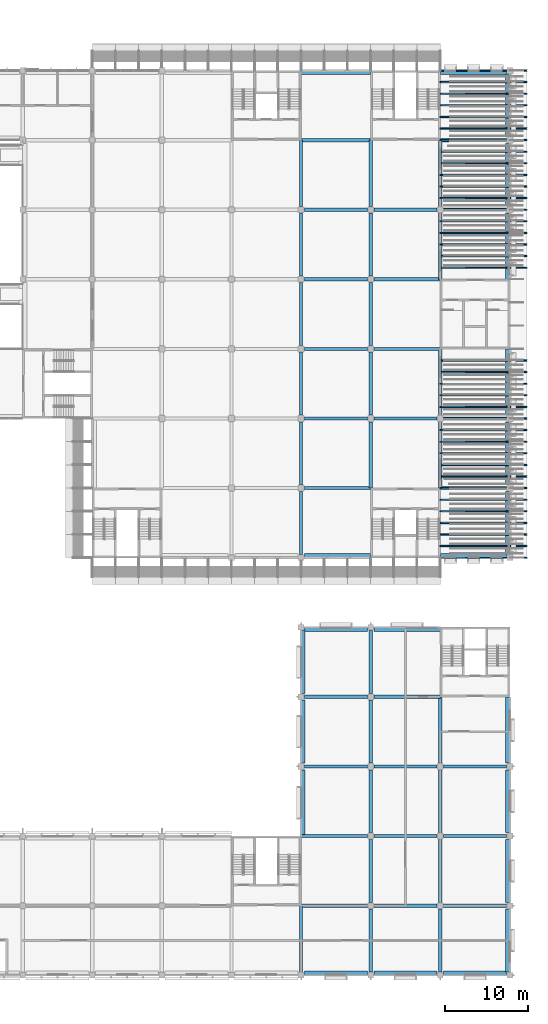
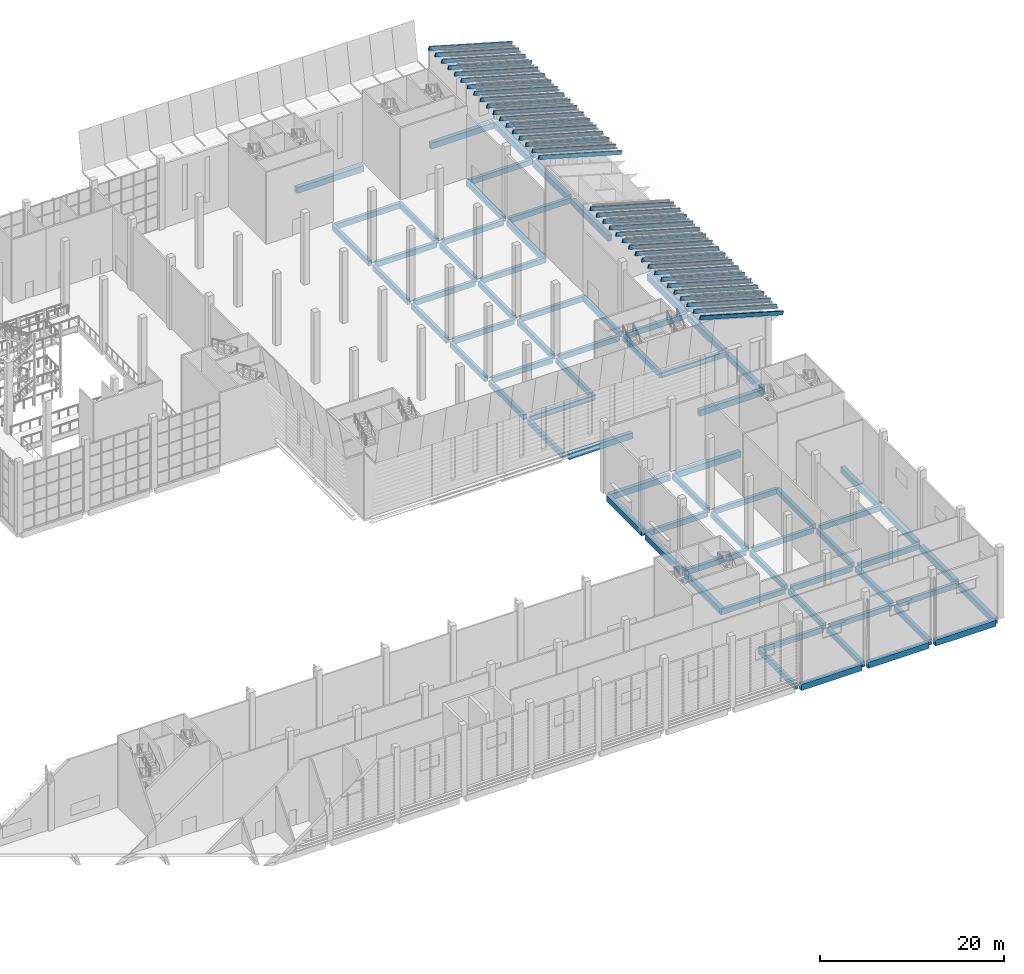
# One storey, part 28 of 114: 72 beams, 36 members.
"""IFC4 building model written with IfcOpenShell, lengths in metres."""

from ifc_helpers import new_model, si_unit, direction, frame, origin, origin_2d, place, context, subcontext, project, spatial, rectangle, extrude, material, material_profile, profile_set, type_object, element, save


model = new_model("IFC4")

# Units and contexts
model_context = context("Model", 3, precision=1e-05, world=origin(), true_north=direction((0.0, 1.0)))
body_context = subcontext(model_context, "Body", "Model", "MODEL_VIEW")
ifc_project = project(units=[si_unit("LENGTHUNIT", "METRE"), si_unit("AREAUNIT", "SQUARE_METRE"), si_unit("VOLUMEUNIT", "CUBIC_METRE"), si_unit("PLANEANGLEUNIT", "RADIAN"), si_unit("MASSUNIT", "GRAM", prefix="KILO")], contexts=[model_context])

# Site, building, storey
site_placement = place(None, origin())
site = spatial("IfcSite", under=ifc_project, at=site_placement, CompositionType="ELEMENT")
building_placement = place(site_placement, origin())
building = spatial("IfcBuilding", under=site, at=building_placement, Name="Almond Square Museum", CompositionType="ELEMENT")
storey_placement = place(building_placement, frame((0.0, 0.0, 10.5)))
storey = spatial("IfcBuildingStorey", under=building, at=storey_placement, Name="L02", CompositionType="ELEMENT", Elevation=10.5)

# Members
ifc_material_1 = material(Name="Glulam GL28h", Category="wood")
ifc_material_profile_1 = material_profile(ifc_material_1, rectangle(XDim=0.159912109375, YDim=0.5, at=origin_2d()))
ifc_profile_set_1 = profile_set([ifc_material_profile_1], Name="Glulam GL28h")
member_type = type_object("IfcMemberType", Name="Glulam rafter GL28h 160x500", PredefinedType="RAFTER", material=ifc_profile_set_1)
for number, where, z_axis, x_axis, name in (
    (1, (148.800048828125, 50.39990234375, 12.035888671875), (0.961529058153, 0.0, -0.274703240474), (0.0, 1.0, 0.0), "V4E rafter 1.1"),
    (2, (148.800048828125, 51.800048828125, 12.035888671875), (0.961529058153, 0.0, -0.274703240474), (0.0, 1.0, 0.0), "V4E rafter 1.2"),
    (3, (148.800048828125, 53.199951171875, 12.035888671875), (0.961529058153, 0.0, -0.274703240474), (0.0, 1.0, 0.0), "V4E rafter 1.3"),
    (4, (148.800048828125, 54.60009765625, 12.035888671875), (0.961529058153, 0.0, -0.274703240474), (0.0, 1.0, 0.0), "V4E rafter 1.4"),
    (5, (148.800048828125, 56.0, 12.035888671875), (0.961529058153, 0.0, -0.274703240474), (0.0, 1.0, 0.0), "V4E rafter 1.5"),
    (6, (148.800048828125, 57.39990234375, 12.035888671875), (0.961529058153, 0.0, -0.274703240474), (0.0, 1.0, 0.0), "V4E rafter 1.6"),
    (7, (148.800048828125, 58.800048828125, 12.035888671875), (0.961529058153, 0.0, -0.274703240474), (0.0, 1.0, 0.0), "V4E rafter 1.7"),
    (8, (148.800048828125, 60.199951171875, 12.035888671875), (0.961529058153, 0.0, -0.274703240474), (0.0, 1.0, 0.0), "V4E rafter 1.8"),
    (9, (148.800048828125, 61.60009765625, 12.035888671875), (0.961529058153, 0.0, -0.274703240474), (0.0, 1.0, 0.0), "V4E rafter 1.9"),
    (10, (148.800048828125, 63.0, 12.035888671875), (0.961529058153, 0.0, -0.274703240474), (0.0, 1.0, 0.0), "V4E rafter 1.10"),
    (11, (148.800048828125, 64.39990234375, 12.035888671875), (0.961529058153, 0.0, -0.274703240474), (0.0, 1.0, 0.0), "V4E rafter 1.11"),
    (12, (148.800048828125, 65.800048828125, 12.035888671875), (0.961529058153, 0.0, -0.274703240474), (0.0, 1.0, 0.0), "V4E rafter 1.12"),
    (13, (148.800048828125, 67.199951171875, 12.035888671875), (0.961529058153, 0.0, -0.274703240474), (0.0, 1.0, 0.0), "V4E rafter 1.13"),
    (14, (148.800048828125, 68.60009765625, 12.035888671875), (0.961529058153, 0.0, -0.274703240474), (0.0, 1.0, 0.0), "V4E rafter 1.14"),
    (15, (148.800048828125, 70.0, 12.035888671875), (0.961529058153, 0.0, -0.274703240474), (0.0, 1.0, 0.0), "V4E rafter 1.15"),
    (16, (148.800048828125, 71.39990234375, 12.035888671875), (0.961529058153, 0.0, -0.274703240474), (0.0, 1.0, 0.0), "V4E rafter 1.16"),
    (17, (148.800048828125, 72.800048828125, 12.035888671875), (0.961529058153, 0.0, -0.274703240474), (0.0, 1.0, 0.0), "V4E rafter 1.17"),
    (18, (148.800048828125, 74.199951171875, 12.035888671875), (0.961529058153, 0.0, -0.274703240474), (0.0, 1.0, 0.0), "V4E rafter 1.18"),
    (19, (148.800048828125, 85.39990234375, 12.035888671875), (0.961529058153, 0.0, -0.274703240474), (0.0, 1.0, 0.0), "V4E rafter 1.26"),
    (20, (148.800048828125, 86.800048828125, 12.035888671875), (0.961529058153, 0.0, -0.274703240474), (0.0, 1.0, 0.0), "V4E rafter 1.27"),
    (21, (148.800048828125, 88.199951171875, 12.035888671875), (0.961529058153, 0.0, -0.274703240474), (0.0, 1.0, 0.0), "V4E rafter 1.28"),
    (22, (148.800048828125, 89.60009765625, 12.035888671875), (0.961529058153, 0.0, -0.274703240474), (0.0, 1.0, 0.0), "V4E rafter 1.29"),
    (23, (148.800048828125, 91.0, 12.035888671875), (0.961529058153, 0.0, -0.274703240474), (0.0, 1.0, 0.0), "V4E rafter 1.30"),
    (24, (148.800048828125, 92.39990234375, 12.035888671875), (0.961529058153, 0.0, -0.274703240474), (0.0, 1.0, 0.0), "V4E rafter 1.31"),
    (25, (148.800048828125, 93.800048828125, 12.035888671875), (0.961529058153, 0.0, -0.274703240474), (0.0, 1.0, 0.0), "V4E rafter 1.32"),
    (26, (148.800048828125, 95.199951171875, 12.035888671875), (0.961529058153, 0.0, -0.274703240474), (0.0, 1.0, 0.0), "V4E rafter 1.33"),
    (27, (148.800048828125, 96.60009765625, 12.035888671875), (0.961529058153, 0.0, -0.274703240474), (0.0, 1.0, 0.0), "V4E rafter 1.34"),
    (28, (148.800048828125, 98.0, 12.035888671875), (0.961529058153, 0.0, -0.274703240474), (0.0, 1.0, 0.0), "V4E rafter 1.35"),
    (29, (148.800048828125, 99.39990234375, 12.035888671875), (0.961529058153, 0.0, -0.274703240474), (0.0, 1.0, 0.0), "V4E rafter 1.36"),
    (30, (148.800048828125, 100.800048828125, 12.035888671875), (0.961529058153, 0.0, -0.274703240474), (0.0, 1.0, 0.0), "V4E rafter 1.37"),
    (31, (148.800048828125, 102.199951171875, 12.035888671875), (0.961529058153, 0.0, -0.274703240474), (0.0, 1.0, 0.0), "V4E rafter 1.38"),
    (32, (148.800048828125, 103.60009765625, 12.035888671875), (0.961529058153, 0.0, -0.274703240474), (0.0, 1.0, 0.0), "V4E rafter 1.39"),
    (33, (148.800048828125, 105.0, 12.035888671875), (0.961529058153, 0.0, -0.274703240474), (0.0, 1.0, 0.0), "V4E rafter 1.40"),
    (34, (148.800048828125, 106.39990234375, 12.035888671875), (0.961529058153, 0.0, -0.274703240474), (0.0, 1.0, 0.0), "V4E rafter 1.41"),
    (35, (148.800048828125, 107.800048828125, 12.035888671875), (0.961529058153, 0.0, -0.274703240474), (0.0, 1.0, 0.0), "V4E rafter 1.42"),
    (36, (148.800048828125, 109.199951171875, 12.035888671875), (0.961529058153, 0.0, -0.274703240474), (0.0, 1.0, 0.0), "V4E rafter 1.43"),
):
    element("IfcMember", number, at=place(storey_placement, frame(where, z_axis=z_axis, x_axis=x_axis)), inside=storey, type_object=member_type, Name=name, PredefinedType="RAFTER", context=body_context, shape_type="SweptSolid", body=[
        extrude(rectangle(XDim=0.159912109375, YDim=0.5, at=origin_2d()), origin(), (0.0, 0.0, 1.0), 10.81591796875),
    ])

# Beams
ifc_material_2 = material(Name="Concrete C40/50", Category="concrete")
ifc_material_profile_2 = material_profile(ifc_material_2, rectangle(XDim=0.39990234375, YDim=0.699951171875, at=origin_2d()))
ifc_profile_set_2 = profile_set([ifc_material_profile_2], Name="Concrete C40/50")
beam_type_1 = type_object("IfcBeamType", Name="RC beam 400 x 700 C40/50", PredefinedType="BEAM", material=ifc_profile_set_2)
beam_1_placement = place(storey_placement, frame((132.0, 8.39990234375, -0.60009765625), z_axis=(1.0, 0.0, 0.0), x_axis=(0.0, 1.0, 0.0)))
element("IfcBeam", 37, at=beam_1_placement, inside=storey, type_object=beam_type_1, Name="Beam B 17-18 L02", PredefinedType="BEAM", context=body_context, shape_type="SweptSolid", body=[
    extrude(rectangle(XDim=0.39990234375, YDim=0.699951171875, at=origin_2d()), origin(), (0.0, 0.0, 1.0), 8.0),
])
beam_2_placement = place(storey_placement, frame((140.800048828125, 8.39990234375, -0.60009765625), z_axis=(1.0, 0.0, 0.0), x_axis=(0.0, 1.0, 0.0)))
element("IfcBeam", 38, at=beam_2_placement, inside=storey, type_object=beam_type_1, Name="Beam B 18-19 L02", PredefinedType="BEAM", context=body_context, shape_type="SweptSolid", body=[
    extrude(rectangle(XDim=0.39990234375, YDim=0.699951171875, at=origin_2d()), origin(), (0.0, 0.0, 1.0), 7.599853515625),
])
beam_3_placement = place(storey_placement, frame((149.199951171875, 8.39990234375, -0.60009765625), z_axis=(1.0, 0.0, 0.0), x_axis=(0.0, 1.0, 0.0)))
element("IfcBeam", 39, at=beam_3_placement, inside=storey, type_object=beam_type_1, Name="Beam B 19-20 L02", PredefinedType="BEAM", context=body_context, shape_type="SweptSolid", body=[
    extrude(rectangle(XDim=0.39990234375, YDim=0.699951171875, at=origin_2d()), origin(), (0.0, 0.0, 1.0), 7.60009765625),
])
beam_4_placement = place(storey_placement, frame((132.0, 16.800048828125, -0.60009765625), z_axis=(1.0, 0.0, 0.0), x_axis=(0.0, 1.0, 0.0)))
element("IfcBeam", 40, at=beam_4_placement, inside=storey, type_object=beam_type_1, Name="Beam C 17-18 L02", PredefinedType="BEAM", context=body_context, shape_type="SweptSolid", body=[
    extrude(rectangle(XDim=0.39990234375, YDim=0.699951171875, at=origin_2d()), origin(), (0.0, 0.0, 1.0), 8.0),
])
beam_5_placement = place(storey_placement, frame((140.800048828125, 16.800048828125, -0.60009765625), z_axis=(1.0, 0.0, 0.0), x_axis=(0.0, 1.0, 0.0)))
element("IfcBeam", 41, at=beam_5_placement, inside=storey, type_object=beam_type_1, Name="Beam C 18-19 L02", PredefinedType="BEAM", context=body_context, shape_type="SweptSolid", body=[
    extrude(rectangle(XDim=0.39990234375, YDim=0.699951171875, at=origin_2d()), origin(), (0.0, 0.0, 1.0), 7.599853515625),
])
for number, where, z_axis, x_axis, name in (
    (42, (149.199951171875, 16.800048828125, -0.60009765625), (1.0, 0.0, 0.0), (0.0, 1.0, 0.0), "Beam C 19-20 L02"),
    (43, (132.39990234375, 25.199951171875, -0.60009765625), (1.0, 0.0, 0.0), (0.0, 1.0, 0.0), "Beam D 17-18 L02"),
):
    element("IfcBeam", number, at=place(storey_placement, frame(where, z_axis=z_axis, x_axis=x_axis)), inside=storey, type_object=beam_type_1, Name=name, PredefinedType="BEAM", context=body_context, shape_type="SweptSolid", body=[
        extrude(rectangle(XDim=0.39990234375, YDim=0.699951171875, at=origin_2d()), origin(), (0.0, 0.0, 1.0), 7.60009765625),
    ])
beam_6_placement = place(storey_placement, frame((140.800048828125, 25.199951171875, -0.60009765625), z_axis=(1.0, 0.0, 0.0), x_axis=(0.0, 1.0, 0.0)))
element("IfcBeam", 44, at=beam_6_placement, inside=storey, type_object=beam_type_1, Name="Beam D 18-19 L02", PredefinedType="BEAM", context=body_context, shape_type="SweptSolid", body=[
    extrude(rectangle(XDim=0.39990234375, YDim=0.699951171875, at=origin_2d()), origin(), (0.0, 0.0, 1.0), 7.599853515625),
])
for number, where, z_axis, x_axis, name in (
    (45, (149.199951171875, 25.199951171875, -0.60009765625), (1.0, 0.0, 0.0), (0.0, 1.0, 0.0), "Beam D 19-20 L02"),
    (46, (132.39990234375, 33.60009765625, -0.60009765625), (1.0, 0.0, 0.0), (0.0, 1.0, 0.0), "Beam E 17-18 L02"),
):
    element("IfcBeam", number, at=place(storey_placement, frame(where, z_axis=z_axis, x_axis=x_axis)), inside=storey, type_object=beam_type_1, Name=name, PredefinedType="BEAM", context=body_context, shape_type="SweptSolid", body=[
        extrude(rectangle(XDim=0.39990234375, YDim=0.699951171875, at=origin_2d()), origin(), (0.0, 0.0, 1.0), 7.60009765625),
    ])
for number, where, z_axis, x_axis, name in (
    (47, (140.800048828125, 33.60009765625, -0.60009765625), (1.0, 0.0, 0.0), (0.0, 1.0, 0.0), "Beam E 18-19 L02"),
    (48, (132.39990234375, 58.800048828125, -0.60009765625), (1.0, 0.0, 0.0), (0.0, 1.0, 0.0), "Beam H 17-18 L02"),
    (49, (148.800048828125, 58.800048828125, -0.60009765625), (1.0, 0.0, 0.0), (0.0, 1.0, 0.0), "Beam H 19-20 L02"),
):
    element("IfcBeam", number, at=place(storey_placement, frame(where, z_axis=z_axis, x_axis=x_axis)), inside=storey, type_object=beam_type_1, Name=name, PredefinedType="BEAM", context=body_context, shape_type="SweptSolid", body=[
        extrude(rectangle(XDim=0.39990234375, YDim=0.699951171875, at=origin_2d()), origin(), (0.0, 0.0, 1.0), 8.0),
    ])
beam_7_placement = place(storey_placement, frame((132.39990234375, 67.199951171875, -0.60009765625), z_axis=(1.0, 0.0, 0.0), x_axis=(0.0, 1.0, 0.0)))
element("IfcBeam", 50, at=beam_7_placement, inside=storey, type_object=beam_type_1, Name="Beam I 17-18 L02", PredefinedType="BEAM", context=body_context, shape_type="SweptSolid", body=[
    extrude(rectangle(XDim=0.39990234375, YDim=0.699951171875, at=origin_2d()), origin(), (0.0, 0.0, 1.0), 7.60009765625),
])
beam_8_placement = place(storey_placement, frame((140.800048828125, 67.199951171875, -0.60009765625), z_axis=(1.0, 0.0, 0.0), x_axis=(0.0, 1.0, 0.0)))
element("IfcBeam", 51, at=beam_8_placement, inside=storey, type_object=beam_type_1, Name="Beam I 18-19 L02", PredefinedType="BEAM", context=body_context, shape_type="SweptSolid", body=[
    extrude(rectangle(XDim=0.39990234375, YDim=0.699951171875, at=origin_2d()), origin(), (0.0, 0.0, 1.0), 7.599853515625),
])
for number, where, z_axis, x_axis, name in (
    (52, (149.199951171875, 67.199951171875, -0.60009765625), (1.0, 0.0, 0.0), (0.0, 1.0, 0.0), "Beam I 19-20 L02"),
    (53, (132.39990234375, 75.60009765625, -0.60009765625), (1.0, 0.0, 0.0), (0.0, 1.0, 0.0), "Beam J 17-18 L02"),
):
    element("IfcBeam", number, at=place(storey_placement, frame(where, z_axis=z_axis, x_axis=x_axis)), inside=storey, type_object=beam_type_1, Name=name, PredefinedType="BEAM", context=body_context, shape_type="SweptSolid", body=[
        extrude(rectangle(XDim=0.39990234375, YDim=0.699951171875, at=origin_2d()), origin(), (0.0, 0.0, 1.0), 7.60009765625),
    ])
beam_9_placement = place(storey_placement, frame((140.800048828125, 75.60009765625, -0.60009765625), z_axis=(1.0, 0.0, 0.0), x_axis=(0.0, 1.0, 0.0)))
element("IfcBeam", 54, at=beam_9_placement, inside=storey, type_object=beam_type_1, Name="Beam J 18-19 L02", PredefinedType="BEAM", context=body_context, shape_type="SweptSolid", body=[
    extrude(rectangle(XDim=0.39990234375, YDim=0.699951171875, at=origin_2d()), origin(), (0.0, 0.0, 1.0), 8.0),
])
beam_10_placement = place(storey_placement, frame((132.39990234375, 84.0, -0.60009765625), z_axis=(1.0, 0.0, 0.0), x_axis=(0.0, 1.0, 0.0)))
element("IfcBeam", 55, at=beam_10_placement, inside=storey, type_object=beam_type_1, Name="Beam K 17-18 L02", PredefinedType="BEAM", context=body_context, shape_type="SweptSolid", body=[
    extrude(rectangle(XDim=0.39990234375, YDim=0.699951171875, at=origin_2d()), origin(), (0.0, 0.0, 1.0), 7.60009765625),
])
beam_11_placement = place(storey_placement, frame((140.800048828125, 84.0, -0.60009765625), z_axis=(1.0, 0.0, 0.0), x_axis=(0.0, 1.0, 0.0)))
element("IfcBeam", 56, at=beam_11_placement, inside=storey, type_object=beam_type_1, Name="Beam K 18-19 L02", PredefinedType="BEAM", context=body_context, shape_type="SweptSolid", body=[
    extrude(rectangle(XDim=0.39990234375, YDim=0.699951171875, at=origin_2d()), origin(), (0.0, 0.0, 1.0), 8.0),
])
beam_12_placement = place(storey_placement, frame((132.39990234375, 92.39990234375, -0.60009765625), z_axis=(1.0, 0.0, 0.0), x_axis=(0.0, 1.0, 0.0)))
element("IfcBeam", 57, at=beam_12_placement, inside=storey, type_object=beam_type_1, Name="Beam L 17-18 L02", PredefinedType="BEAM", context=body_context, shape_type="SweptSolid", body=[
    extrude(rectangle(XDim=0.39990234375, YDim=0.699951171875, at=origin_2d()), origin(), (0.0, 0.0, 1.0), 7.60009765625),
])
beam_13_placement = place(storey_placement, frame((140.800048828125, 92.39990234375, -0.60009765625), z_axis=(1.0, 0.0, 0.0), x_axis=(0.0, 1.0, 0.0)))
element("IfcBeam", 58, at=beam_13_placement, inside=storey, type_object=beam_type_1, Name="Beam L 18-19 L02", PredefinedType="BEAM", context=body_context, shape_type="SweptSolid", body=[
    extrude(rectangle(XDim=0.39990234375, YDim=0.699951171875, at=origin_2d()), origin(), (0.0, 0.0, 1.0), 7.599853515625),
])
beam_14_placement = place(storey_placement, frame((149.199951171875, 92.39990234375, -0.60009765625), z_axis=(1.0, 0.0, 0.0), x_axis=(0.0, 1.0, 0.0)))
element("IfcBeam", 59, at=beam_14_placement, inside=storey, type_object=beam_type_1, Name="Beam L 19-20 L02", PredefinedType="BEAM", context=body_context, shape_type="SweptSolid", body=[
    extrude(rectangle(XDim=0.39990234375, YDim=0.699951171875, at=origin_2d()), origin(), (0.0, 0.0, 1.0), 7.60009765625),
])
beam_15_placement = place(storey_placement, frame((132.0, 100.800048828125, -0.60009765625), z_axis=(1.0, 0.0, 0.0), x_axis=(0.0, 1.0, 0.0)))
element("IfcBeam", 60, at=beam_15_placement, inside=storey, type_object=beam_type_1, Name="Beam M 17-18 L02", PredefinedType="BEAM", context=body_context, shape_type="SweptSolid", body=[
    extrude(rectangle(XDim=0.39990234375, YDim=0.699951171875, at=origin_2d()), origin(), (0.0, 0.0, 1.0), 8.39990234375),
])
for number, where, z_axis, x_axis, name in (
    (61, (148.800048828125, 100.800048828125, -0.60009765625), (1.0, 0.0, 0.0), (0.0, 1.0, 0.0), "Beam M 19-20 L02"),
    (62, (132.0, 0.39990234375, -0.60009765625), (0.0, 1.0, 0.0), (-1.0, 0.0, 0.0), "Beam 17 A-B L02"),
):
    element("IfcBeam", number, at=place(storey_placement, frame(where, z_axis=z_axis, x_axis=x_axis)), inside=storey, type_object=beam_type_1, Name=name, PredefinedType="BEAM", context=body_context, shape_type="SweptSolid", body=[
        extrude(rectangle(XDim=0.39990234375, YDim=0.699951171875, at=origin_2d()), origin(), (0.0, 0.0, 1.0), 8.0),
    ])
beam_16_placement = place(storey_placement, frame((132.0, 50.800048828125, -0.60009765625), z_axis=(0.0, 1.0, 0.0), x_axis=(-1.0, 0.0, 0.0)))
element("IfcBeam", 63, at=beam_16_placement, inside=storey, type_object=beam_type_1, Name="Beam 17 G-H L02", PredefinedType="BEAM", context=body_context, shape_type="SweptSolid", body=[
    extrude(rectangle(XDim=0.39990234375, YDim=0.699951171875, at=origin_2d()), origin(), (0.0, 0.0, 1.0), 7.599853515625),
])
beam_17_placement = place(storey_placement, frame((132.0, 59.199951171875, -0.60009765625), z_axis=(0.0, 1.0, 0.0), x_axis=(-1.0, 0.0, 0.0)))
element("IfcBeam", 64, at=beam_17_placement, inside=storey, type_object=beam_type_1, Name="Beam 17 H-I L02", PredefinedType="BEAM", context=body_context, shape_type="SweptSolid", body=[
    extrude(rectangle(XDim=0.39990234375, YDim=0.699951171875, at=origin_2d()), origin(), (0.0, 0.0, 1.0), 7.60009765625),
])
beam_18_placement = place(storey_placement, frame((132.0, 67.60009765625, -0.60009765625), z_axis=(0.0, 1.0, 0.0), x_axis=(-1.0, 0.0, 0.0)))
element("IfcBeam", 65, at=beam_18_placement, inside=storey, type_object=beam_type_1, Name="Beam 17 I-J L02", PredefinedType="BEAM", context=body_context, shape_type="SweptSolid", body=[
    extrude(rectangle(XDim=0.39990234375, YDim=0.699951171875, at=origin_2d()), origin(), (0.0, 0.0, 1.0), 7.599853515625),
])
for number, where, z_axis, x_axis, name in (
    (66, (132.0, 76.0, -0.60009765625), (0.0, 1.0, 0.0), (-1.0, 0.0, 0.0), "Beam 17 J-K L02"),
    (67, (132.0, 84.39990234375, -0.60009765625), (0.0, 1.0, 0.0), (-1.0, 0.0, 0.0), "Beam 17 K-L L02"),
):
    element("IfcBeam", number, at=place(storey_placement, frame(where, z_axis=z_axis, x_axis=x_axis)), inside=storey, type_object=beam_type_1, Name=name, PredefinedType="BEAM", context=body_context, shape_type="SweptSolid", body=[
        extrude(rectangle(XDim=0.39990234375, YDim=0.699951171875, at=origin_2d()), origin(), (0.0, 0.0, 1.0), 7.60009765625),
    ])
beam_19_placement = place(storey_placement, frame((132.0, 92.800048828125, -0.60009765625), z_axis=(0.0, 1.0, 0.0), x_axis=(-1.0, 0.0, 0.0)))
element("IfcBeam", 68, at=beam_19_placement, inside=storey, type_object=beam_type_1, Name="Beam 17 L-M L02", PredefinedType="BEAM", context=body_context, shape_type="SweptSolid", body=[
    extrude(rectangle(XDim=0.39990234375, YDim=0.699951171875, at=origin_2d()), origin(), (0.0, 0.0, 1.0), 8.0),
])
beam_20_placement = place(storey_placement, frame((140.39990234375, 0.39990234375, -0.60009765625), z_axis=(0.0, 1.0, 0.0), x_axis=(-1.0, 0.0, 0.0)))
element("IfcBeam", 69, at=beam_20_placement, inside=storey, type_object=beam_type_1, Name="Beam 18 A-B L02", PredefinedType="BEAM", context=body_context, shape_type="SweptSolid", body=[
    extrude(rectangle(XDim=0.39990234375, YDim=0.699951171875, at=origin_2d()), origin(), (0.0, 0.0, 1.0), 7.60009765625),
])
beam_21_placement = place(storey_placement, frame((140.39990234375, 8.800048828125, -0.60009765625), z_axis=(0.0, 1.0, 0.0), x_axis=(-1.0, 0.0, 0.0)))
element("IfcBeam", 70, at=beam_21_placement, inside=storey, type_object=beam_type_1, Name="Beam 18 B-C L02", PredefinedType="BEAM", context=body_context, shape_type="SweptSolid", body=[
    extrude(rectangle(XDim=0.39990234375, YDim=0.699951171875, at=origin_2d()), origin(), (0.0, 0.0, 1.0), 7.599853515625),
])
beam_22_placement = place(storey_placement, frame((140.39990234375, 17.199951171875, -0.60009765625), z_axis=(0.0, 1.0, 0.0), x_axis=(-1.0, 0.0, 0.0)))
element("IfcBeam", 71, at=beam_22_placement, inside=storey, type_object=beam_type_1, Name="Beam 18 C-D L02", PredefinedType="BEAM", context=body_context, shape_type="SweptSolid", body=[
    extrude(rectangle(XDim=0.39990234375, YDim=0.699951171875, at=origin_2d()), origin(), (0.0, 0.0, 1.0), 7.60009765625),
])
beam_23_placement = place(storey_placement, frame((140.39990234375, 25.60009765625, -0.60009765625), z_axis=(0.0, 1.0, 0.0), x_axis=(-1.0, 0.0, 0.0)))
element("IfcBeam", 72, at=beam_23_placement, inside=storey, type_object=beam_type_1, Name="Beam 18 D-E L02", PredefinedType="BEAM", context=body_context, shape_type="SweptSolid", body=[
    extrude(rectangle(XDim=0.39990234375, YDim=0.699951171875, at=origin_2d()), origin(), (0.0, 0.0, 1.0), 7.599853515625),
])
beam_24_placement = place(storey_placement, frame((140.39990234375, 34.0, -0.60009765625), z_axis=(0.0, 1.0, 0.0), x_axis=(-1.0, 0.0, 0.0)))
element("IfcBeam", 73, at=beam_24_placement, inside=storey, type_object=beam_type_1, Name="Beam 18 E-F L02", PredefinedType="BEAM", context=body_context, shape_type="SweptSolid", body=[
    extrude(rectangle(XDim=0.39990234375, YDim=0.699951171875, at=origin_2d()), origin(), (0.0, 0.0, 1.0), 7.60009765625),
])
beam_25_placement = place(storey_placement, frame((140.39990234375, 58.800048828125, -0.60009765625), z_axis=(0.0, 1.0, 0.0), x_axis=(-1.0, 0.0, 0.0)))
element("IfcBeam", 74, at=beam_25_placement, inside=storey, type_object=beam_type_1, Name="Beam 18 H-I L02", PredefinedType="BEAM", context=body_context, shape_type="SweptSolid", body=[
    extrude(rectangle(XDim=0.39990234375, YDim=0.699951171875, at=origin_2d()), origin(), (0.0, 0.0, 1.0), 8.0),
])
beam_26_placement = place(storey_placement, frame((140.39990234375, 67.60009765625, -0.60009765625), z_axis=(0.0, 1.0, 0.0), x_axis=(-1.0, 0.0, 0.0)))
element("IfcBeam", 75, at=beam_26_placement, inside=storey, type_object=beam_type_1, Name="Beam 18 I-J L02", PredefinedType="BEAM", context=body_context, shape_type="SweptSolid", body=[
    extrude(rectangle(XDim=0.39990234375, YDim=0.699951171875, at=origin_2d()), origin(), (0.0, 0.0, 1.0), 7.599853515625),
])
for number, where, z_axis, x_axis, name in (
    (76, (140.39990234375, 76.0, -0.60009765625), (0.0, 1.0, 0.0), (-1.0, 0.0, 0.0), "Beam 18 J-K L02"),
    (77, (140.39990234375, 84.39990234375, -0.60009765625), (0.0, 1.0, 0.0), (-1.0, 0.0, 0.0), "Beam 18 K-L L02"),
):
    element("IfcBeam", number, at=place(storey_placement, frame(where, z_axis=z_axis, x_axis=x_axis)), inside=storey, type_object=beam_type_1, Name=name, PredefinedType="BEAM", context=body_context, shape_type="SweptSolid", body=[
        extrude(rectangle(XDim=0.39990234375, YDim=0.699951171875, at=origin_2d()), origin(), (0.0, 0.0, 1.0), 7.60009765625),
    ])
beam_27_placement = place(storey_placement, frame((140.39990234375, 92.800048828125, -0.60009765625), z_axis=(0.0, 1.0, 0.0), x_axis=(-1.0, 0.0, 0.0)))
element("IfcBeam", 78, at=beam_27_placement, inside=storey, type_object=beam_type_1, Name="Beam 18 L-M L02", PredefinedType="BEAM", context=body_context, shape_type="SweptSolid", body=[
    extrude(rectangle(XDim=0.39990234375, YDim=0.699951171875, at=origin_2d()), origin(), (0.0, 0.0, 1.0), 8.0),
])
beam_28_placement = place(storey_placement, frame((148.800048828125, 0.39990234375, -0.60009765625), z_axis=(0.0, 1.0, 0.0), x_axis=(-1.0, 0.0, 0.0)))
element("IfcBeam", 79, at=beam_28_placement, inside=storey, type_object=beam_type_1, Name="Beam 19 A-B L02", PredefinedType="BEAM", context=body_context, shape_type="SweptSolid", body=[
    extrude(rectangle(XDim=0.39990234375, YDim=0.699951171875, at=origin_2d()), origin(), (0.0, 0.0, 1.0), 7.60009765625),
])
beam_29_placement = place(storey_placement, frame((148.800048828125, 8.800048828125, -0.60009765625), z_axis=(0.0, 1.0, 0.0), x_axis=(-1.0, 0.0, 0.0)))
element("IfcBeam", 80, at=beam_29_placement, inside=storey, type_object=beam_type_1, Name="Beam 19 B-C L02", PredefinedType="BEAM", context=body_context, shape_type="SweptSolid", body=[
    extrude(rectangle(XDim=0.39990234375, YDim=0.699951171875, at=origin_2d()), origin(), (0.0, 0.0, 1.0), 7.599853515625),
])
beam_30_placement = place(storey_placement, frame((148.800048828125, 17.199951171875, -0.60009765625), z_axis=(0.0, 1.0, 0.0), x_axis=(-1.0, 0.0, 0.0)))
element("IfcBeam", 81, at=beam_30_placement, inside=storey, type_object=beam_type_1, Name="Beam 19 C-D L02", PredefinedType="BEAM", context=body_context, shape_type="SweptSolid", body=[
    extrude(rectangle(XDim=0.39990234375, YDim=0.699951171875, at=origin_2d()), origin(), (0.0, 0.0, 1.0), 7.60009765625),
])
for number, where, z_axis, x_axis, name in (
    (82, (148.800048828125, 25.60009765625, -0.60009765625), (0.0, 1.0, 0.0), (-1.0, 0.0, 0.0), "Beam 19 D-E L02"),
    (83, (148.800048828125, 58.800048828125, -0.60009765625), (0.0, 1.0, 0.0), (-1.0, 0.0, 0.0), "Beam 19 H-I L02"),
    (84, (148.800048828125, 67.60009765625, -0.60009765625), (0.0, 1.0, 0.0), (-1.0, 0.0, 0.0), "Beam 19 I-J L02"),
    (85, (148.800048828125, 84.0, -0.60009765625), (0.0, 1.0, 0.0), (-1.0, 0.0, 0.0), "Beam 19 K-L L02"),
    (86, (148.800048828125, 92.800048828125, -0.60009765625), (0.0, 1.0, 0.0), (-1.0, 0.0, 0.0), "Beam 19 L-M L02"),
):
    element("IfcBeam", number, at=place(storey_placement, frame(where, z_axis=z_axis, x_axis=x_axis)), inside=storey, type_object=beam_type_1, Name=name, PredefinedType="BEAM", context=body_context, shape_type="SweptSolid", body=[
        extrude(rectangle(XDim=0.39990234375, YDim=0.699951171875, at=origin_2d()), origin(), (0.0, 0.0, 1.0), 8.0),
    ])
ifc_material_3 = material(Name="Concrete C40/50", Category="concrete")
ifc_material_profile_3 = material_profile(ifc_material_3, rectangle(XDim=0.5, YDim=0.800048828125, at=origin_2d()))
ifc_profile_set_3 = profile_set([ifc_material_profile_3], Name="Concrete C40/50")
beam_type_2 = type_object("IfcBeamType", Name="RC edge beam 500 x 800 C40/50", PredefinedType="BEAM", material=ifc_profile_set_3)
beam_31_placement = place(storey_placement, frame((132.39990234375, 0.25, -0.64990234375), z_axis=(1.0, 0.0, 0.0), x_axis=(0.0, 1.0, 0.0)))
element("IfcBeam", 87, at=beam_31_placement, inside=storey, type_object=beam_type_2, Name="Edge beam A 17-18 L02", PredefinedType="BEAM", context=body_context, shape_type="SweptSolid", body=[
    extrude(rectangle(XDim=0.5, YDim=0.800048828125, at=origin_2d()), origin(), (0.0, 0.0, 1.0), 7.60009765625),
])
beam_32_placement = place(storey_placement, frame((140.800048828125, 0.25, -0.64990234375), z_axis=(1.0, 0.0, 0.0), x_axis=(0.0, 1.0, 0.0)))
element("IfcBeam", 88, at=beam_32_placement, inside=storey, type_object=beam_type_2, Name="Edge beam A 18-19 L02", PredefinedType="BEAM", context=body_context, shape_type="SweptSolid", body=[
    extrude(rectangle(XDim=0.5, YDim=0.800048828125, at=origin_2d()), origin(), (0.0, 0.0, 1.0), 7.599853515625),
])
for number, where, z_axis, x_axis, name in (
    (89, (149.199951171875, 0.25, -0.64990234375), (1.0, 0.0, 0.0), (0.0, 1.0, 0.0), "Edge beam A 19-20 L02"),
    (90, (132.39990234375, 41.75, -0.64990234375), (1.0, 0.0, 0.0), (0.0, 1.0, 0.0), "Edge beam F 17-18 L02"),
):
    element("IfcBeam", number, at=place(storey_placement, frame(where, z_axis=z_axis, x_axis=x_axis)), inside=storey, type_object=beam_type_2, Name=name, PredefinedType="BEAM", context=body_context, shape_type="SweptSolid", body=[
        extrude(rectangle(XDim=0.5, YDim=0.800048828125, at=origin_2d()), origin(), (0.0, 0.0, 1.0), 7.60009765625),
    ])
for number, where, z_axis, x_axis, name in (
    (91, (140.800048828125, 41.75, -0.64990234375), (1.0, 0.0, 0.0), (0.0, 1.0, 0.0), "Edge beam F 18-19 L02"),
    (92, (132.39990234375, 50.64990234375, -0.64990234375), (1.0, 0.0, 0.0), (0.0, 1.0, 0.0), "Edge beam G 17-18 L02"),
    (93, (148.800048828125, 50.64990234375, -0.64990234375), (1.0, 0.0, 0.0), (0.0, 1.0, 0.0), "Edge beam G 19-20 L02"),
):
    element("IfcBeam", number, at=place(storey_placement, frame(where, z_axis=z_axis, x_axis=x_axis)), inside=storey, type_object=beam_type_2, Name=name, PredefinedType="BEAM", context=body_context, shape_type="SweptSolid", body=[
        extrude(rectangle(XDim=0.5, YDim=0.800048828125, at=origin_2d()), origin(), (0.0, 0.0, 1.0), 8.0),
    ])
beam_33_placement = place(storey_placement, frame((132.0, 108.949951171875, -0.64990234375), z_axis=(1.0, 0.0, 0.0), x_axis=(0.0, 1.0, 0.0)))
element("IfcBeam", 94, at=beam_33_placement, inside=storey, type_object=beam_type_2, Name="Edge beam N 17-18 L02", PredefinedType="BEAM", context=body_context, shape_type="SweptSolid", body=[
    extrude(rectangle(XDim=0.5, YDim=0.800048828125, at=origin_2d()), origin(), (0.0, 0.0, 1.0), 8.39990234375),
])
for number, where, z_axis, x_axis, name in (
    (95, (148.800048828125, 108.949951171875, -0.64990234375), (1.0, 0.0, 0.0), (0.0, 1.0, 0.0), "Edge beam N 19-20 L02"),
    (96, (132.25, 16.800048828125, -0.64990234375), (0.0, 1.0, 0.0), (-1.0, 0.0, 0.0), "Edge beam 17 C-D L02"),
):
    element("IfcBeam", number, at=place(storey_placement, frame(where, z_axis=z_axis, x_axis=x_axis)), inside=storey, type_object=beam_type_2, Name=name, PredefinedType="BEAM", context=body_context, shape_type="SweptSolid", body=[
        extrude(rectangle(XDim=0.5, YDim=0.800048828125, at=origin_2d()), origin(), (0.0, 0.0, 1.0), 8.0),
    ])
beam_34_placement = place(storey_placement, frame((132.25, 25.60009765625, -0.64990234375), z_axis=(0.0, 1.0, 0.0), x_axis=(-1.0, 0.0, 0.0)))
element("IfcBeam", 97, at=beam_34_placement, inside=storey, type_object=beam_type_2, Name="Edge beam 17 D-E L02", PredefinedType="BEAM", context=body_context, shape_type="SweptSolid", body=[
    extrude(rectangle(XDim=0.5, YDim=0.800048828125, at=origin_2d()), origin(), (0.0, 0.0, 1.0), 7.599853515625),
])
for number, where, z_axis, x_axis, name in (
    (98, (132.25, 34.0, -0.64990234375), (0.0, 1.0, 0.0), (-1.0, 0.0, 0.0), "Edge beam 17 E-F L02"),
    (99, (156.949951171875, 0.39990234375, -0.64990234375), (0.0, 1.0, 0.0), (-1.0, 0.0, 0.0), "Edge beam 20 A-B L02"),
):
    element("IfcBeam", number, at=place(storey_placement, frame(where, z_axis=z_axis, x_axis=x_axis)), inside=storey, type_object=beam_type_2, Name=name, PredefinedType="BEAM", context=body_context, shape_type="SweptSolid", body=[
        extrude(rectangle(XDim=0.5, YDim=0.800048828125, at=origin_2d()), origin(), (0.0, 0.0, 1.0), 7.60009765625),
    ])
beam_35_placement = place(storey_placement, frame((156.949951171875, 8.800048828125, -0.64990234375), z_axis=(0.0, 1.0, 0.0), x_axis=(-1.0, 0.0, 0.0)))
element("IfcBeam", 100, at=beam_35_placement, inside=storey, type_object=beam_type_2, Name="Edge beam 20 B-C L02", PredefinedType="BEAM", context=body_context, shape_type="SweptSolid", body=[
    extrude(rectangle(XDim=0.5, YDim=0.800048828125, at=origin_2d()), origin(), (0.0, 0.0, 1.0), 7.599853515625),
])
beam_36_placement = place(storey_placement, frame((156.949951171875, 17.199951171875, -0.64990234375), z_axis=(0.0, 1.0, 0.0), x_axis=(-1.0, 0.0, 0.0)))
element("IfcBeam", 101, at=beam_36_placement, inside=storey, type_object=beam_type_2, Name="Edge beam 20 C-D L02", PredefinedType="BEAM", context=body_context, shape_type="SweptSolid", body=[
    extrude(rectangle(XDim=0.5, YDim=0.800048828125, at=origin_2d()), origin(), (0.0, 0.0, 1.0), 7.60009765625),
])
beam_37_placement = place(storey_placement, frame((156.949951171875, 25.60009765625, -0.64990234375), z_axis=(0.0, 1.0, 0.0), x_axis=(-1.0, 0.0, 0.0)))
element("IfcBeam", 102, at=beam_37_placement, inside=storey, type_object=beam_type_2, Name="Edge beam 20 D-E L02", PredefinedType="BEAM", context=body_context, shape_type="SweptSolid", body=[
    extrude(rectangle(XDim=0.5, YDim=0.800048828125, at=origin_2d()), origin(), (0.0, 0.0, 1.0), 8.0),
])
beam_38_placement = place(storey_placement, frame((156.949951171875, 50.800048828125, -0.64990234375), z_axis=(0.0, 1.0, 0.0), x_axis=(-1.0, 0.0, 0.0)))
element("IfcBeam", 103, at=beam_38_placement, inside=storey, type_object=beam_type_2, Name="Edge beam 20 G-H L02", PredefinedType="BEAM", context=body_context, shape_type="SweptSolid", body=[
    extrude(rectangle(XDim=0.5, YDim=0.800048828125, at=origin_2d()), origin(), (0.0, 0.0, 1.0), 7.599853515625),
])
beam_39_placement = place(storey_placement, frame((156.949951171875, 59.199951171875, -0.64990234375), z_axis=(0.0, 1.0, 0.0), x_axis=(-1.0, 0.0, 0.0)))
element("IfcBeam", 104, at=beam_39_placement, inside=storey, type_object=beam_type_2, Name="Edge beam 20 H-I L02", PredefinedType="BEAM", context=body_context, shape_type="SweptSolid", body=[
    extrude(rectangle(XDim=0.5, YDim=0.800048828125, at=origin_2d()), origin(), (0.0, 0.0, 1.0), 7.60009765625),
])
for number, where, z_axis, x_axis, name in (
    (105, (156.949951171875, 67.60009765625, -0.64990234375), (0.0, 1.0, 0.0), (-1.0, 0.0, 0.0), "Edge beam 20 I-J L02"),
    (106, (156.949951171875, 84.0, -0.64990234375), (0.0, 1.0, 0.0), (-1.0, 0.0, 0.0), "Edge beam 20 K-L L02"),
):
    element("IfcBeam", number, at=place(storey_placement, frame(where, z_axis=z_axis, x_axis=x_axis)), inside=storey, type_object=beam_type_2, Name=name, PredefinedType="BEAM", context=body_context, shape_type="SweptSolid", body=[
        extrude(rectangle(XDim=0.5, YDim=0.800048828125, at=origin_2d()), origin(), (0.0, 0.0, 1.0), 8.0),
    ])
beam_40_placement = place(storey_placement, frame((156.949951171875, 92.800048828125, -0.64990234375), z_axis=(0.0, 1.0, 0.0), x_axis=(-1.0, 0.0, 0.0)))
element("IfcBeam", 107, at=beam_40_placement, inside=storey, type_object=beam_type_2, Name="Edge beam 20 L-M L02", PredefinedType="BEAM", context=body_context, shape_type="SweptSolid", body=[
    extrude(rectangle(XDim=0.5, YDim=0.800048828125, at=origin_2d()), origin(), (0.0, 0.0, 1.0), 7.599853515625),
])
beam_41_placement = place(storey_placement, frame((156.949951171875, 101.199951171875, -0.64990234375), z_axis=(0.0, 1.0, 0.0), x_axis=(-1.0, 0.0, 0.0)))
element("IfcBeam", 108, at=beam_41_placement, inside=storey, type_object=beam_type_2, Name="Edge beam 20 M-N L02", PredefinedType="BEAM", context=body_context, shape_type="SweptSolid", body=[
    extrude(rectangle(XDim=0.5, YDim=0.800048828125, at=origin_2d()), origin(), (0.0, 0.0, 1.0), 7.60009765625),
])

save(model, "model.ifc")
